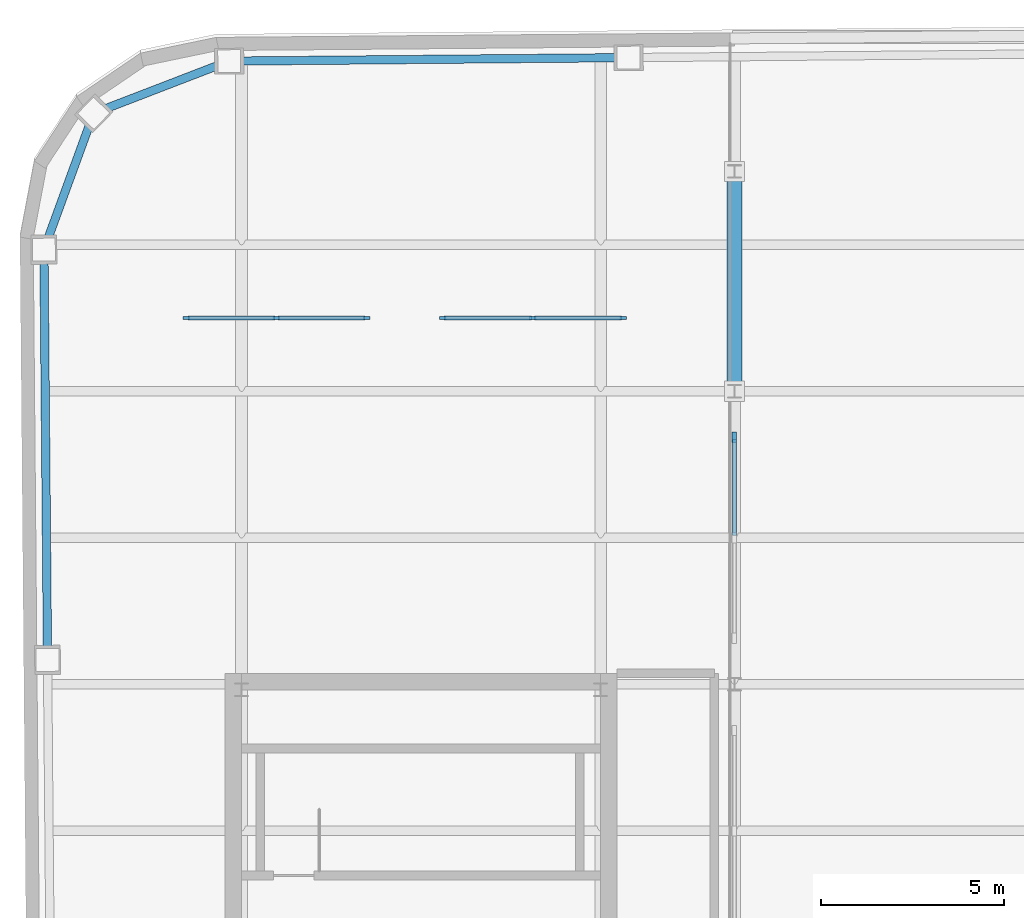
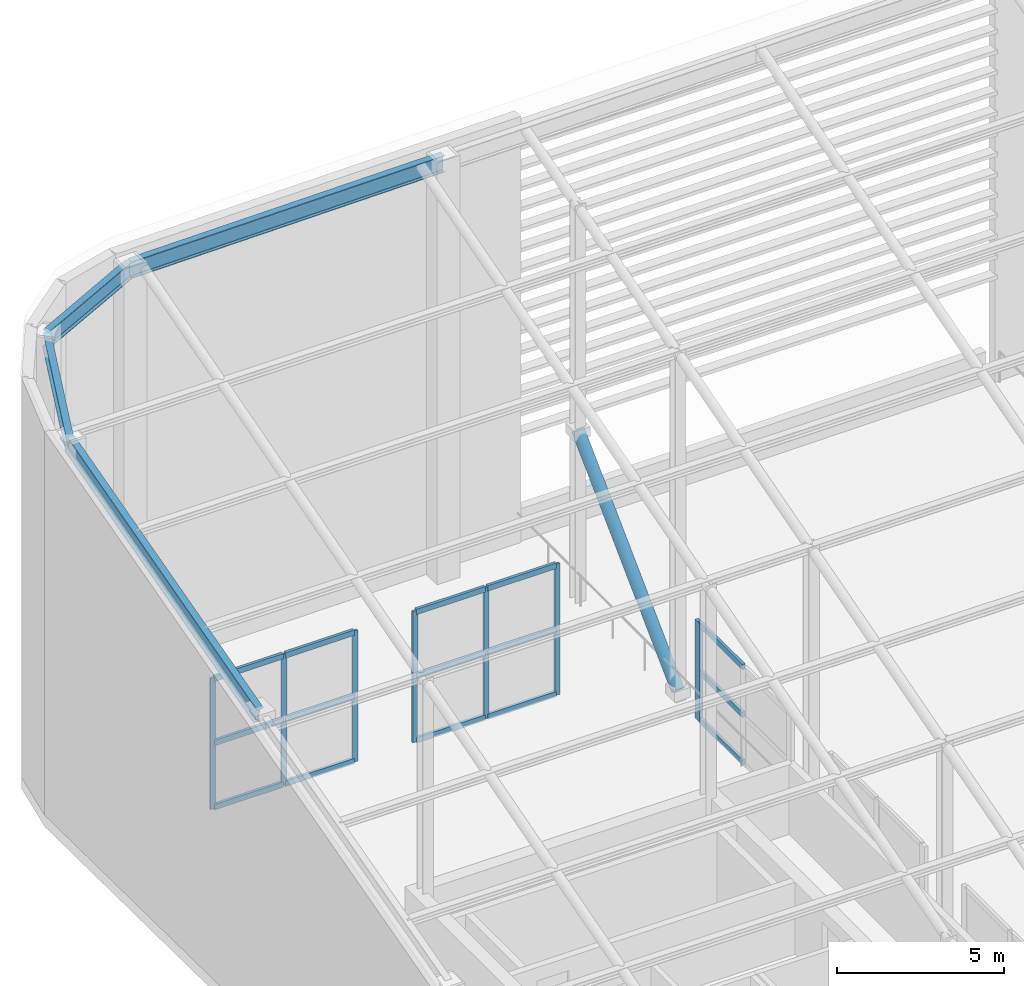
# One storey, part 11 of 17: 23 members, 4 beams, 3 elements without a shape of their own.
"""IFC4 building model written with IfcOpenShell, lengths in metres."""

from ifc_helpers import new_model, si_unit, direction, frame, origin, origin_2d, place, context, subcontext, project, spatial, rectangle, hollow_circle, i_section, extrude, material, material_profile, profile_set, type_object, element, aggregate, save


model = new_model("IFC4")

# Units and contexts
model_context = context("Model", 3, precision=1e-05, world=origin(), true_north=direction((0.0, 1.0)))
body_context = subcontext(model_context, "Body", "Model", "MODEL_VIEW")
ifc_project = project(units=[si_unit("LENGTHUNIT", "METRE"), si_unit("AREAUNIT", "SQUARE_METRE"), si_unit("VOLUMEUNIT", "CUBIC_METRE"), si_unit("PLANEANGLEUNIT", "RADIAN"), si_unit("MASSUNIT", "GRAM", prefix="KILO")], contexts=[model_context])

# Site, building, storey
site_placement = place(None, origin())
site = spatial("IfcSite", under=ifc_project, at=site_placement, CompositionType="ELEMENT")
building_placement = place(site_placement, origin())
building = spatial("IfcBuilding", under=site, at=building_placement, Name="Kolvaren Arena Tower", CompositionType="ELEMENT")
storey_placement = place(building_placement, frame((0.0, 0.0, 322.0)))
storey = spatial("IfcBuildingStorey", under=building, at=storey_placement, Name="Roof Crown", CompositionType="ELEMENT", Elevation=322.0)

# Curtain wall, member
ifc_material_1 = material(Name="Anodised aluminium unitised curtain wall", Category="aluminium")
curtain_wall_type_1 = type_object("IfcCurtainWallType", Name="CW-SYS-04", PredefinedType="USERDEFINED", material=ifc_material_1)
curtain_wall_1_placement = place(storey_placement, origin())
curtain_wall_1 = element("IfcCurtainWall", 1, at=curtain_wall_1_placement, inside=storey, type_object=curtain_wall_type_1, Name="Wind-Portal Throat Acoustic Curtain Screen (Roof Crown)", ObjectType="ACOUSTIC LOUVRE SCREEN", PredefinedType="USERDEFINED")
ifc_material_2 = material(Name="Anodised aluminium 6063-T6", Category="aluminium")
ifc_material_profile_1 = material_profile(ifc_material_2, rectangle(XDim=0.1201171875, YDim=0.280029296875, at=origin_2d()), Name="ALU-120x280")
ifc_profile_set_1 = profile_set([ifc_material_profile_1], Name="Anodised aluminium 6063-T6")
member_type_1 = type_object("IfcMemberType", Name="CWM-PORT", PredefinedType="MULLION", material=ifc_profile_set_1)
member_1_placement = place(storey_placement, frame((28.0, 40.739990234375, 0.0), z_axis=(0.0, 0.0, 1.0), x_axis=(-1.0, 0.0, 0.0)))
member_1 = element("IfcMember", 2, at=member_1_placement, type_object=member_type_1, Name="CW4 mullion 3", PredefinedType="MULLION", context=body_context, shape_type="SweptSolid", body=[
    extrude(rectangle(XDim=0.1201171875, YDim=0.280029296875, at=origin_2d()), origin(), (0.0, 0.0, 1.0), 3.60009765625),
])

# Curtain wall, members
curtain_wall_type_2 = type_object("IfcCurtainWallType", Name="CW-SYS-07", PredefinedType="USERDEFINED", material=ifc_material_1)
curtain_wall_2_placement = place(storey_placement, origin())
curtain_wall_2 = element("IfcCurtainWall", 3, at=curtain_wall_2_placement, inside=storey, type_object=curtain_wall_type_2, Name="Crown Clerestory Curtain Wall (Roof Crown)", ObjectType="UNITISED CURTAIN WALL", PredefinedType="USERDEFINED")
ifc_material_profile_2 = material_profile(ifc_material_2, rectangle(XDim=0.080078125, YDim=0.179931640625, at=origin_2d()), Name="ALU-80x180")
ifc_profile_set_2 = profile_set([ifc_material_profile_2], Name="Anodised aluminium 6063-T6")
member_type_2 = type_object("IfcMemberType", Name="CWM-STD", PredefinedType="MULLION", material=ifc_profile_set_2)
member_2_placement = place(storey_placement, frame((13.0400390625, 44.0, 0.0), z_axis=(0.0, 0.0, 1.0), x_axis=(0.0, 1.0, 0.0)))
member_2 = element("IfcMember", 4, at=member_2_placement, type_object=member_type_2, Name="CW7 mullion 1", PredefinedType="MULLION", context=body_context, shape_type="SweptSolid", body=[
    extrude(rectangle(XDim=0.080078125, YDim=0.179931640625, at=origin_2d()), origin(), (0.0, 0.0, 1.0), 4.800048828125),
])
member_3_placement = place(storey_placement, frame((15.5, 44.0, 0.0), z_axis=(0.0, 0.0, 1.0), x_axis=(0.0, 1.0, 0.0)))
member_3 = element("IfcMember", 5, at=member_3_placement, type_object=member_type_2, Name="CW7 mullion 2", PredefinedType="MULLION", context=body_context, shape_type="SweptSolid", body=[
    extrude(rectangle(XDim=0.080078125, YDim=0.179931640625, at=origin_2d()), origin(), (0.0, 0.0, 1.0), 4.800048828125),
])
member_4_placement = place(storey_placement, frame((17.9599609375, 44.0, 0.0), z_axis=(0.0, 0.0, 1.0), x_axis=(0.0, 1.0, 0.0)))
member_4 = element("IfcMember", 6, at=member_4_placement, type_object=member_type_2, Name="CW7 mullion 3", PredefinedType="MULLION", context=body_context, shape_type="SweptSolid", body=[
    extrude(rectangle(XDim=0.080078125, YDim=0.179931640625, at=origin_2d()), origin(), (0.0, 0.0, 1.0), 4.800048828125),
])

curtain_wall_3_placement = place(storey_placement, origin())
curtain_wall_3 = element("IfcCurtainWall", 7, at=curtain_wall_3_placement, inside=storey, type_object=curtain_wall_type_2, Name="Crown Clerestory Curtain Wall (Roof Crown)", ObjectType="UNITISED CURTAIN WALL", PredefinedType="USERDEFINED")
member_5_placement = place(storey_placement, frame((20.0400390625, 44.0, 0.0), z_axis=(0.0, 0.0, 1.0), x_axis=(0.0, 1.0, 0.0)))
member_5 = element("IfcMember", 8, at=member_5_placement, type_object=member_type_2, Name="CW7 mullion 1", PredefinedType="MULLION", context=body_context, shape_type="SweptSolid", body=[
    extrude(rectangle(XDim=0.080078125, YDim=0.179931640625, at=origin_2d()), origin(), (0.0, 0.0, 1.0), 4.800048828125),
])
member_6_placement = place(storey_placement, frame((22.5, 44.0, 0.0), z_axis=(0.0, 0.0, 1.0), x_axis=(0.0, 1.0, 0.0)))
member_6 = element("IfcMember", 9, at=member_6_placement, type_object=member_type_2, Name="CW7 mullion 2", PredefinedType="MULLION", context=body_context, shape_type="SweptSolid", body=[
    extrude(rectangle(XDim=0.080078125, YDim=0.179931640625, at=origin_2d()), origin(), (0.0, 0.0, 1.0), 4.800048828125),
])
member_7_placement = place(storey_placement, frame((24.9599609375, 44.0, 0.0), z_axis=(0.0, 0.0, 1.0), x_axis=(0.0, 1.0, 0.0)))
member_7 = element("IfcMember", 10, at=member_7_placement, type_object=member_type_2, Name="CW7 mullion 3", PredefinedType="MULLION", context=body_context, shape_type="SweptSolid", body=[
    extrude(rectangle(XDim=0.080078125, YDim=0.179931640625, at=origin_2d()), origin(), (0.0, 0.0, 1.0), 4.800048828125),
])

# Member
ifc_material_profile_3 = material_profile(ifc_material_2, rectangle(XDim=0.10009765625, YDim=0.199951171875, at=origin_2d()), Name="ALU-100x200")
ifc_profile_set_3 = profile_set([ifc_material_profile_3], Name="Anodised aluminium 6063-T6")
member_type_3 = type_object("IfcMemberType", Name="CWT-HVY", PredefinedType="USERDEFINED", material=ifc_profile_set_3)
member_8_placement = place(storey_placement, frame((28.0, 38.06005859375, 0.050048828125), z_axis=(0.0, 1.0, 0.0), x_axis=(-1.0, 0.0, 0.0)))
member_8 = element("IfcMember", 11, at=member_8_placement, type_object=member_type_3, Name="CW4 transom 2.1", ObjectType="TRANSOM", PredefinedType="USERDEFINED", context=body_context, shape_type="SweptSolid", body=[
    extrude(rectangle(XDim=0.10009765625, YDim=0.199951171875, at=origin_2d()), origin(), (0.0, 0.0, 1.0), 2.619873046875),
])

member_9_placement = place(storey_placement, frame((28.0, 38.06005859375, 1.800048828125), z_axis=(0.0, 1.0, 0.0), x_axis=(-1.0, 0.0, 0.0)))
member_9 = element("IfcMember", 12, at=member_9_placement, type_object=member_type_3, Name="CW4 transom 2.2", ObjectType="TRANSOM", PredefinedType="USERDEFINED", context=body_context, shape_type="SweptSolid", body=[
    extrude(rectangle(XDim=0.10009765625, YDim=0.199951171875, at=origin_2d()), origin(), (0.0, 0.0, 1.0), 2.619873046875),
])

member_10_placement = place(storey_placement, frame((28.0, 38.06005859375, 3.550048828125), z_axis=(0.0, 1.0, 0.0), x_axis=(-1.0, 0.0, 0.0)))
member_10 = element("IfcMember", 13, at=member_10_placement, type_object=member_type_3, Name="CW4 transom 2.3", ObjectType="TRANSOM", PredefinedType="USERDEFINED", context=body_context, shape_type="SweptSolid", body=[
    extrude(rectangle(XDim=0.10009765625, YDim=0.199951171875, at=origin_2d()), origin(), (0.0, 0.0, 1.0), 2.619873046875),
])

aggregate(curtain_wall_1, [member_1, member_8, member_9, member_10])

member_11_placement = place(storey_placement, frame((13.080078125, 44.0, 0.050048828125), z_axis=(1.0, 0.0, 0.0), x_axis=(0.0, 1.0, 0.0)))
member_11 = element("IfcMember", 14, at=member_11_placement, type_object=member_type_3, Name="CW7 transom 1.1", ObjectType="TRANSOM", PredefinedType="USERDEFINED", context=body_context, shape_type="SweptSolid", body=[
    extrude(rectangle(XDim=0.10009765625, YDim=0.199951171875, at=origin_2d()), origin(), (0.0, 0.0, 1.0), 2.3798828125),
])

member_12_placement = place(storey_placement, frame((13.080078125, 44.0, 2.39990234375), z_axis=(1.0, 0.0, 0.0), x_axis=(0.0, 1.0, 0.0)))
member_12 = element("IfcMember", 15, at=member_12_placement, type_object=member_type_3, Name="CW7 transom 1.2", ObjectType="TRANSOM", PredefinedType="USERDEFINED", context=body_context, shape_type="SweptSolid", body=[
    extrude(rectangle(XDim=0.10009765625, YDim=0.199951171875, at=origin_2d()), origin(), (0.0, 0.0, 1.0), 2.3798828125),
])

member_13_placement = place(storey_placement, frame((13.080078125, 44.0, 4.75), z_axis=(1.0, 0.0, 0.0), x_axis=(0.0, 1.0, 0.0)))
member_13 = element("IfcMember", 16, at=member_13_placement, type_object=member_type_3, Name="CW7 transom 1.3", ObjectType="TRANSOM", PredefinedType="USERDEFINED", context=body_context, shape_type="SweptSolid", body=[
    extrude(rectangle(XDim=0.10009765625, YDim=0.199951171875, at=origin_2d()), origin(), (0.0, 0.0, 1.0), 2.3798828125),
])

member_14_placement = place(storey_placement, frame((15.5400390625, 44.0, 0.050048828125), z_axis=(1.0, 0.0, 0.0), x_axis=(0.0, 1.0, 0.0)))
member_14 = element("IfcMember", 17, at=member_14_placement, type_object=member_type_3, Name="CW7 transom 2.1", ObjectType="TRANSOM", PredefinedType="USERDEFINED", context=body_context, shape_type="SweptSolid", body=[
    extrude(rectangle(XDim=0.10009765625, YDim=0.199951171875, at=origin_2d()), origin(), (0.0, 0.0, 1.0), 2.3798828125),
])

member_15_placement = place(storey_placement, frame((15.5400390625, 44.0, 2.39990234375), z_axis=(1.0, 0.0, 0.0), x_axis=(0.0, 1.0, 0.0)))
member_15 = element("IfcMember", 18, at=member_15_placement, type_object=member_type_3, Name="CW7 transom 2.2", ObjectType="TRANSOM", PredefinedType="USERDEFINED", context=body_context, shape_type="SweptSolid", body=[
    extrude(rectangle(XDim=0.10009765625, YDim=0.199951171875, at=origin_2d()), origin(), (0.0, 0.0, 1.0), 2.3798828125),
])

member_16_placement = place(storey_placement, frame((15.5400390625, 44.0, 4.75), z_axis=(1.0, 0.0, 0.0), x_axis=(0.0, 1.0, 0.0)))
member_16 = element("IfcMember", 19, at=member_16_placement, type_object=member_type_3, Name="CW7 transom 2.3", ObjectType="TRANSOM", PredefinedType="USERDEFINED", context=body_context, shape_type="SweptSolid", body=[
    extrude(rectangle(XDim=0.10009765625, YDim=0.199951171875, at=origin_2d()), origin(), (0.0, 0.0, 1.0), 2.3798828125),
])

aggregate(curtain_wall_2, [member_2, member_3, member_4, member_11, member_12, member_13, member_14, member_15, member_16])

member_17_placement = place(storey_placement, frame((20.080078125, 44.0, 0.050048828125), z_axis=(1.0, 0.0, 0.0), x_axis=(0.0, 1.0, 0.0)))
member_17 = element("IfcMember", 20, at=member_17_placement, type_object=member_type_3, Name="CW7 transom 1.1", ObjectType="TRANSOM", PredefinedType="USERDEFINED", context=body_context, shape_type="SweptSolid", body=[
    extrude(rectangle(XDim=0.10009765625, YDim=0.199951171875, at=origin_2d()), origin(), (0.0, 0.0, 1.0), 2.3798828125),
])

member_18_placement = place(storey_placement, frame((20.080078125, 44.0, 2.39990234375), z_axis=(1.0, 0.0, 0.0), x_axis=(0.0, 1.0, 0.0)))
member_18 = element("IfcMember", 21, at=member_18_placement, type_object=member_type_3, Name="CW7 transom 1.2", ObjectType="TRANSOM", PredefinedType="USERDEFINED", context=body_context, shape_type="SweptSolid", body=[
    extrude(rectangle(XDim=0.10009765625, YDim=0.199951171875, at=origin_2d()), origin(), (0.0, 0.0, 1.0), 2.3798828125),
])

member_19_placement = place(storey_placement, frame((20.080078125, 44.0, 4.75), z_axis=(1.0, 0.0, 0.0), x_axis=(0.0, 1.0, 0.0)))
member_19 = element("IfcMember", 22, at=member_19_placement, type_object=member_type_3, Name="CW7 transom 1.3", ObjectType="TRANSOM", PredefinedType="USERDEFINED", context=body_context, shape_type="SweptSolid", body=[
    extrude(rectangle(XDim=0.10009765625, YDim=0.199951171875, at=origin_2d()), origin(), (0.0, 0.0, 1.0), 2.3798828125),
])

member_20_placement = place(storey_placement, frame((22.5400390625, 44.0, 0.050048828125), z_axis=(1.0, 0.0, 0.0), x_axis=(0.0, 1.0, 0.0)))
member_20 = element("IfcMember", 23, at=member_20_placement, type_object=member_type_3, Name="CW7 transom 2.1", ObjectType="TRANSOM", PredefinedType="USERDEFINED", context=body_context, shape_type="SweptSolid", body=[
    extrude(rectangle(XDim=0.10009765625, YDim=0.199951171875, at=origin_2d()), origin(), (0.0, 0.0, 1.0), 2.3798828125),
])

member_21_placement = place(storey_placement, frame((22.5400390625, 44.0, 2.39990234375), z_axis=(1.0, 0.0, 0.0), x_axis=(0.0, 1.0, 0.0)))
member_21 = element("IfcMember", 24, at=member_21_placement, type_object=member_type_3, Name="CW7 transom 2.2", ObjectType="TRANSOM", PredefinedType="USERDEFINED", context=body_context, shape_type="SweptSolid", body=[
    extrude(rectangle(XDim=0.10009765625, YDim=0.199951171875, at=origin_2d()), origin(), (0.0, 0.0, 1.0), 2.3798828125),
])

member_22_placement = place(storey_placement, frame((22.5400390625, 44.0, 4.75), z_axis=(1.0, 0.0, 0.0), x_axis=(0.0, 1.0, 0.0)))
member_22 = element("IfcMember", 25, at=member_22_placement, type_object=member_type_3, Name="CW7 transom 2.3", ObjectType="TRANSOM", PredefinedType="USERDEFINED", context=body_context, shape_type="SweptSolid", body=[
    extrude(rectangle(XDim=0.10009765625, YDim=0.199951171875, at=origin_2d()), origin(), (0.0, 0.0, 1.0), 2.3798828125),
])

aggregate(curtain_wall_3, [member_5, member_6, member_7, member_17, member_18, member_19, member_20, member_21, member_22])

# Beams
ifc_material_3 = material(Name="Steel CSA G40.21 350W", Category="steel")
ifc_material_profile_4 = material_profile(ifc_material_3, i_section(OverallWidth=0.22802734375, OverallDepth=0.615966796875, WebThickness=0.013916015625, FlangeThickness=0.02490234375, FilletRadius=0.014892578125, at=origin_2d()), Name="W610x174")
ifc_profile_set_4 = profile_set([ifc_material_profile_4], Name="Steel CSA G40.21 350W")
beam_type = type_object("IfcBeamType", Name="GIRD-T3", PredefinedType="BEAM", material=ifc_profile_set_4)
beam_1_placement = place(storey_placement, frame((25.109375, 51.10400390625, 15.1298828125), z_axis=(-0.999958700637, -0.008735219918, -0.002508575977), x_axis=(0.008735247404, -0.999961846999, 0.0)))
element("IfcBeam", 26, at=beam_1_placement, inside=storey, type_object=beam_type, Name="Sloped Crown Roof Perimeter Ring Beam 15", PredefinedType="BEAM", context=body_context, shape_type="SweptSolid", body=[
    extrude(i_section(OverallWidth=0.22802734375, OverallDepth=0.615966796875, WebThickness=0.013916015625, FlangeThickness=0.02490234375, FilletRadius=0.014892578125, at=origin_2d()), origin(), (0.0, 0.0, 1.0), 10.900146484375),
])
beam_2_placement = place(storey_placement, frame((14.209716796875, 51.0087890625, 15.1025390625), z_axis=(-0.928241666884, -0.357416875896, -0.103056220992), x_axis=(0.359330117362, -0.933210515777, 0.0)))
element("IfcBeam", 27, at=beam_2_placement, inside=storey, type_object=beam_type, Name="Sloped Crown Roof Perimeter Ring Beam 16", PredefinedType="BEAM", context=body_context, shape_type="SweptSolid", body=[
    extrude(i_section(OverallWidth=0.22802734375, OverallDepth=0.615966796875, WebThickness=0.013916015625, FlangeThickness=0.02490234375, FilletRadius=0.014892578125, at=origin_2d()), origin(), (0.0, 0.0, 1.0), 3.982177734375),
])
beam_3_placement = place(storey_placement, frame((10.51318359375, 49.58544921875, 14.692138671875), z_axis=(-0.331117831523, -0.906677482976, -0.261336800913), x_axis=(0.939321073019, -0.343039242335, 0.0)))
element("IfcBeam", 28, at=beam_3_placement, inside=storey, type_object=beam_type, Name="Sloped Crown Roof Perimeter Ring Beam 17", PredefinedType="BEAM", context=body_context, shape_type="SweptSolid", body=[
    extrude(i_section(OverallWidth=0.22802734375, OverallDepth=0.615966796875, WebThickness=0.013916015625, FlangeThickness=0.02490234375, FilletRadius=0.014892578125, at=origin_2d()), origin(), (0.0, 0.0, 1.0), 4.10400390625),
])
beam_4_placement = place(storey_placement, frame((9.154296875, 45.864501953125, 13.61962890625), z_axis=(0.008399284139, -0.960848781271, -0.27694597227), x_axis=(0.999961795055, 0.008741191547, 0.0)))
element("IfcBeam", 29, at=beam_4_placement, inside=storey, type_object=beam_type, Name="Sloped Crown Roof Perimeter Ring Beam 18", PredefinedType="BEAM", context=body_context, shape_type="SweptSolid", body=[
    extrude(i_section(OverallWidth=0.22802734375, OverallDepth=0.615966796875, WebThickness=0.013916015625, FlangeThickness=0.02490234375, FilletRadius=0.014892578125, at=origin_2d()), origin(), (0.0, 0.0, 1.0), 11.65576171875),
])

# Member
ifc_material_4 = material(Name="Steel CSA G40.21 350WT", Category="steel")
ifc_material_profile_5 = material_profile(ifc_material_4, hollow_circle(Radius=0.202880859375, WallThickness=0.02001953125, at=origin_2d()), Name="CHS 406x20")
ifc_profile_set_5 = profile_set([ifc_material_profile_5], Name="Steel CSA G40.21 350WT")
member_type_4 = type_object("IfcMemberType", Name="WP-BRACE1", PredefinedType="BRACE", material=ifc_profile_set_5)
member_23_placement = place(storey_placement, frame((28.0, 42.0, 0.300048828125), z_axis=(0.0, 0.713029481615, 0.701134051624), x_axis=(-1.0, 0.0, 0.0)))
element("IfcMember", 30, at=member_23_placement, inside=storey, type_object=member_type_4, Name="Wind-Portal Throat Diagonal Brace (West 2)", PredefinedType="BRACE", context=body_context, shape_type="SweptSolid", body=[
    extrude(hollow_circle(Radius=0.202880859375, WallThickness=0.02001953125, at=origin_2d()), origin(), (0.0, 0.0, 1.0), 8.414794921875),
])

save(model, "model.ifc")
